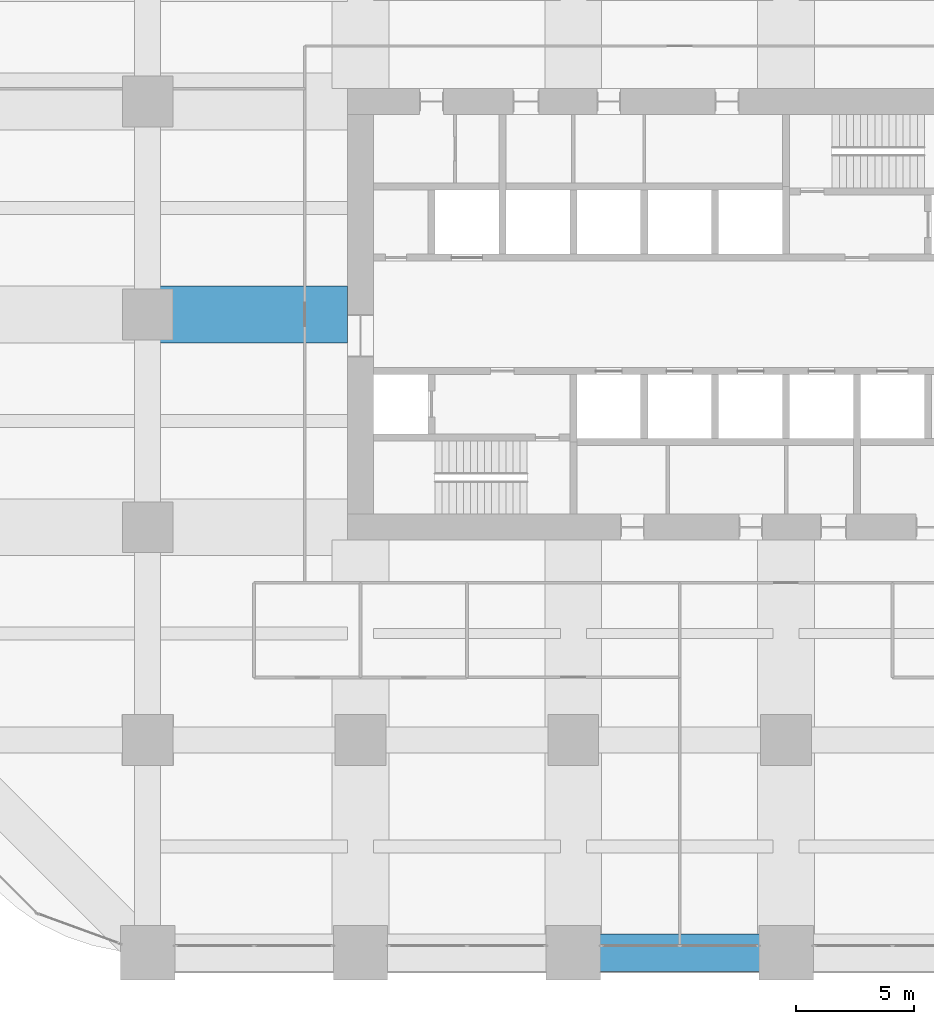
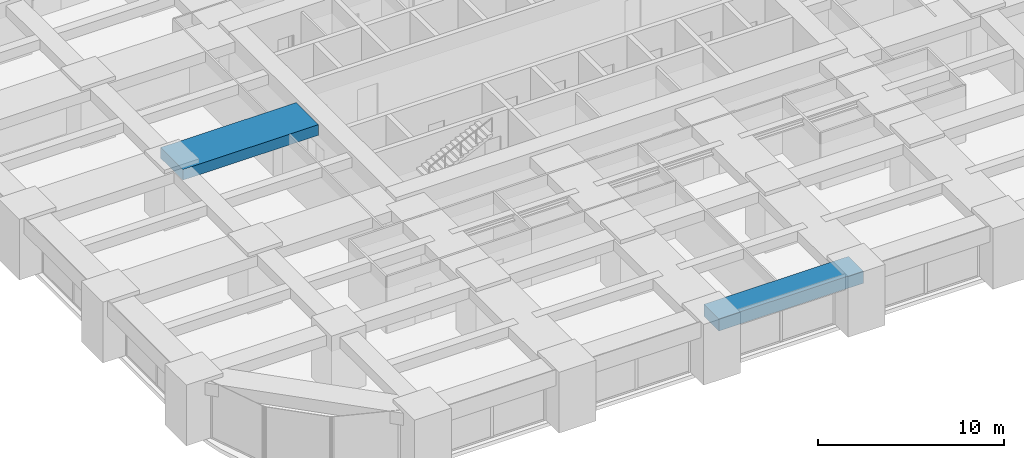
# One storey, part 11 of 43: 2 beams.
"""IFC4 building model written with IfcOpenShell, lengths in metres."""

from ifc_helpers import new_model, si_unit, direction, frame, origin, origin_2d, place, context, subcontext, project, spatial, rectangle, extrude, material, material_profile, profile_set, type_object, element, save


model = new_model("IFC4")

# Units and contexts
model_context = context("Model", 3, precision=1e-05, world=origin(), true_north=direction((0.0, 1.0)))
body_context = subcontext(model_context, "Body", "Model", "MODEL_VIEW")
ifc_project = project(units=[si_unit("LENGTHUNIT", "METRE"), si_unit("AREAUNIT", "SQUARE_METRE"), si_unit("VOLUMEUNIT", "CUBIC_METRE"), si_unit("PLANEANGLEUNIT", "RADIAN"), si_unit("MASSUNIT", "GRAM", prefix="KILO")], contexts=[model_context])

# Site, building, storey
site_placement = place(None, origin())
site = spatial("IfcSite", under=ifc_project, at=site_placement, CompositionType="ELEMENT")
building_placement = place(site_placement, origin())
building = spatial("IfcBuilding", under=site, at=building_placement, Name="Zorevar Civic Tower", CompositionType="ELEMENT")
storey_placement = place(building_placement, frame((0.0, 0.0, 67.800048828125)))
storey = spatial("IfcBuildingStorey", under=building, at=storey_placement, Name="L16", CompositionType="ELEMENT", Elevation=67.800048828125)

# Beams
ifc_material_1 = material(Name="Concrete C50/60", Category="concrete")
ifc_material_profile_1 = material_profile(ifc_material_1, rectangle(XDim=2.39990234375, YDim=0.699951171875, at=origin_2d()), Name="RC 2400x700")
ifc_profile_set_1 = profile_set([ifc_material_profile_1], Name="Concrete C50/60")
beam_type_1 = type_object("IfcBeamType", Name="Beam RC 2400x700", PredefinedType="BEAM", material=ifc_profile_set_1)
beam_1_placement = place(storey_placement, frame((9.0, 27.0, 3.39990234375), z_axis=(1.0, 0.0, 0.0), x_axis=(0.0, 1.0, 0.0)))
element("IfcBeam", 1, at=beam_1_placement, inside=storey, type_object=beam_type_1, Name="Girder L17", PredefinedType="BEAM", context=body_context, shape_type="SweptSolid", body=[
    extrude(rectangle(XDim=2.39990234375, YDim=0.699951171875, at=origin_2d()), origin(), (0.0, 0.0, 1.0), 8.449951171875),
])
ifc_material_2 = material(Name="Concrete C50/60", Category="concrete")
ifc_material_profile_2 = material_profile(ifc_material_2, rectangle(XDim=1.60009765625, YDim=0.800048828125, at=origin_2d()), Name="RC 1600x800")
ifc_profile_set_2 = profile_set([ifc_material_profile_2], Name="Concrete C50/60")
beam_type_2 = type_object("IfcBeamType", Name="Edge beam RC 1600x800", PredefinedType="SPANDREL", material=ifc_profile_set_2)
beam_2_placement = place(storey_placement, frame((27.0, 0.0, 3.349853515625), z_axis=(1.0, 0.0, 0.0), x_axis=(0.0, 1.0, 0.0)))
element("IfcBeam", 2, at=beam_2_placement, inside=storey, type_object=beam_type_2, Name="Edge beam L17", PredefinedType="SPANDREL", context=body_context, shape_type="SweptSolid", body=[
    extrude(rectangle(XDim=1.60009765625, YDim=0.800048828125, at=origin_2d()), origin(), (0.0, 0.0, 1.0), 9.0),
])

save(model, "model.ifc")
